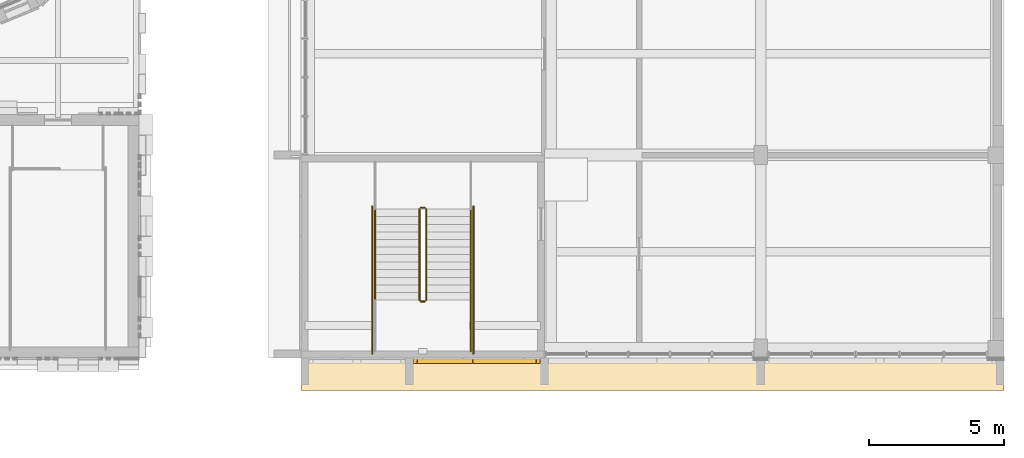
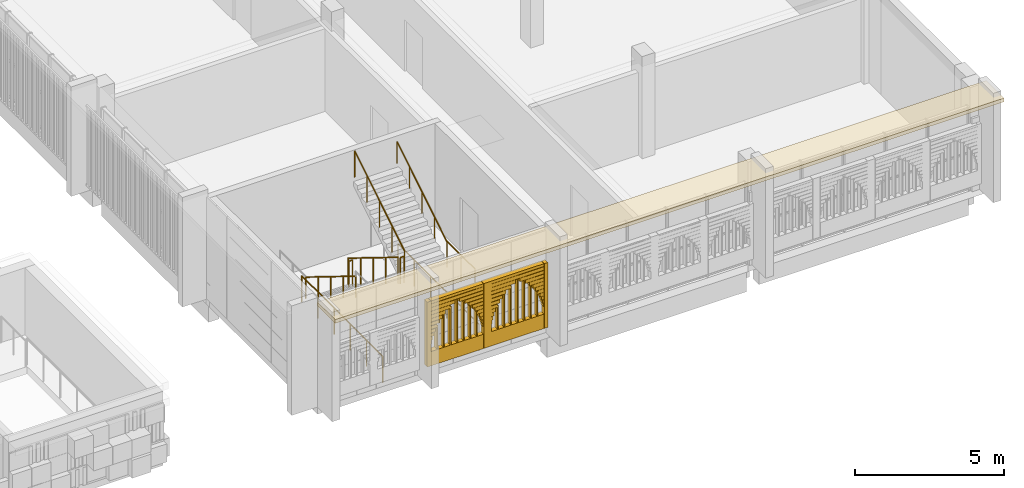
# One storey, part 87 of 98: 9 railings, 2 coverings.
"""IFC4 building model written with IfcOpenShell, lengths in metres."""

import ifcopenshell
import ifcopenshell.guid

model = None  # the IFC model being written
_history = None  # IfcOwnerHistory: only IFC2X3 demands one
_inside = {}  # id of a spatial element -> (the spatial element, [elements in it])
_under = {}  # id of a project, library or spatial element -> (it, [spatial elements below it])
_declared = {}  # id of a project -> (the project, [libraries it declares])
_typed = {}  # id of a type object -> (the type object, [elements of that type])
_made_of = {}  # id of a material, layer set ... -> (it, [elements and type objects made of it])


def new_model(schema):
    """Start an empty IFC model of exactly this schema.

    Asked for "IFC4X3", IfcOpenShell would pick the latest addendum, in which some entities
    have other attributes; the version numbers below select the first issue.
    IFC2X3 requires an IfcOwnerHistory on every rooted entity: one is made here for all.
    """
    global model, _history
    if schema == "IFC4X3":
        model = ifcopenshell.file(schema_version=(4, 3, 0, 0))
    else:
        model = ifcopenshell.file(schema=schema)
    _inside.clear()
    _under.clear()
    _declared.clear()
    _typed.clear()
    _made_of.clear()
    _history = None
    if model.schema == "IFC2X3":
        org = make("IfcOrganization", Name="unknown")
        user = make(
            "IfcPersonAndOrganization",
            ThePerson=make("IfcPerson", FamilyName="unknown"),
            TheOrganization=org,
        )
        app = make(
            "IfcApplication",
            ApplicationDeveloper=org,
            Version="unknown",
            ApplicationFullName="unknown",
            ApplicationIdentifier="unknown",
        )
        _history = make(
            "IfcOwnerHistory",
            OwningUser=user,
            OwningApplication=app,
            ChangeAction="ADDED",
            CreationDate=0,
        )
    return model


def make(cls, **values):
    """One entity of the class cls with the attributes given. An attribute that is None is left unset."""
    return model.create_entity(
        cls, **{name: value for name, value in values.items() if value is not None}
    )


def rooted(cls, **values):
    """An entity with a GlobalId (a new one), such as an element, a storey or a relation."""
    return make(cls, GlobalId=ifcopenshell.guid.new(), OwnerHistory=_history, **values)


def si_unit(unit_type, name, prefix=None):
    """IfcSIUnit, for example si_unit("LENGTHUNIT", "METRE", prefix="MILLI")."""
    return make("IfcSIUnit", UnitType=unit_type, Prefix=prefix, Name=name)


def assignment(units):
    """IfcUnitAssignment: the units of a project."""
    return None if units is None else make("IfcUnitAssignment", Units=units)


def point(xyz):
    """IfcCartesianPoint."""
    return None if xyz is None else make("IfcCartesianPoint", Coordinates=xyz)


def direction(xyz):
    """IfcDirection."""
    return None if xyz is None else make("IfcDirection", DirectionRatios=xyz)


def frame(location, z_axis=None, x_axis=None):
    """IfcAxis2Placement3D, a coordinate frame: its origin and axes. An axis left out is left unset."""
    return make(
        "IfcAxis2Placement3D",
        Location=point(location),
        Axis=direction(z_axis),
        RefDirection=direction(x_axis),
    )


def frame_2d(location, x_axis=None):
    """IfcAxis2Placement2D, a coordinate frame in the plane: its origin and x axis."""
    return make(
        "IfcAxis2Placement2D", Location=point(location), RefDirection=direction(x_axis)
    )


def origin():
    """The frame at (0, 0, 0) with its axes left unset."""
    return frame((0.0, 0.0, 0.0))


def origin_2d():
    """The frame at (0, 0) in the plane with its x axis left unset."""
    return frame_2d((0.0, 0.0))


def place(relative_to, where):
    """IfcLocalPlacement: puts the frame where relative to a parent placement (None: the world)."""
    return make(
        "IfcLocalPlacement", PlacementRelTo=relative_to, RelativePlacement=where
    )


def context(
    kind, dimensions, precision=None, world=None, true_north=None, identifier=None
):
    """IfcGeometricRepresentationContext, for example the 3D "Model" context."""
    return make(
        "IfcGeometricRepresentationContext",
        ContextIdentifier=identifier,
        ContextType=kind,
        CoordinateSpaceDimension=dimensions,
        Precision=precision,
        WorldCoordinateSystem=world,
        TrueNorth=true_north,
    )


def subcontext(parent, identifier, kind, view, scale=None):
    """IfcGeometricRepresentationSubContext, for example "Body" below "Model"."""
    return make(
        "IfcGeometricRepresentationSubContext",
        ContextIdentifier=identifier,
        ContextType=kind,
        ParentContext=parent,
        TargetScale=scale,
        TargetView=view,
    )


def project(units=None, contexts=None):
    """IfcProject with its units and contexts."""
    return rooted(
        "IfcProject",
        Name="project",
        RepresentationContexts=contexts,
        UnitsInContext=assignment(units),
    )


def spatial(cls, under=None, at=None, **own):
    """A site, building, storey or space (cls), placed at a placement, below another one or the project."""
    s = rooted(cls, ObjectPlacement=at, **own)
    if under is not None:
        _under.setdefault(under.id(), (under, []))[1].append(s)
    return s


def polyline(points):
    """IfcPolyline through the points."""
    return make("IfcPolyline", Points=[point(p) for p in points])


def profile(cls, at=None, kind="AREA", **sizes):
    """A parametric profile (cls). Its sizes go by their IFC names, for example OverallWidth=200.0."""
    return make(cls, ProfileType=kind, Position=at, **sizes)


def rectangle(**sizes):
    """IfcRectangleProfileDef."""
    return profile("IfcRectangleProfileDef", **sizes)


def circle(**sizes):
    """IfcCircleProfileDef."""
    return profile("IfcCircleProfileDef", **sizes)


def outline(outer, holes=None, kind="AREA"):
    """IfcArbitraryClosedProfileDef: a profile drawn as a closed curve; with holes, ...WithVoids."""
    if holes is None:
        return make("IfcArbitraryClosedProfileDef", ProfileType=kind, OuterCurve=outer)
    return make(
        "IfcArbitraryProfileDefWithVoids",
        ProfileType=kind,
        OuterCurve=outer,
        InnerCurves=holes,
    )


def extrude(swept, where, along, depth):
    """IfcExtrudedAreaSolid: the profile swept, set in the frame where, extruded along a direction by depth."""
    return make(
        "IfcExtrudedAreaSolid",
        SweptArea=swept,
        Position=where,
        ExtrudedDirection=direction(along),
        Depth=depth,
    )


def shape(context_of_items, identifier, shape_type, items):
    """IfcShapeRepresentation: the items that make up one representation, for example the "Body"."""
    return make(
        "IfcShapeRepresentation",
        ContextOfItems=context_of_items,
        RepresentationIdentifier=identifier,
        RepresentationType=shape_type,
        Items=items,
    )


def material(Name=None, Category=None):
    """IfcMaterial."""
    return make("IfcMaterial", Name=Name, Category=Category)


def layer(
    of_material, thickness, ventilated=None, Name=None, Category=None, Priority=None
):
    """IfcMaterialLayer: one layer of a wall or slab, of a material (None: an air gap)."""
    return make(
        "IfcMaterialLayer",
        Material=of_material,
        LayerThickness=thickness,
        IsVentilated=ventilated,
        Name=Name,
        Category=Category,
        Priority=Priority,
    )


def layer_set(layers, Name=None):
    """IfcMaterialLayerSet."""
    return make("IfcMaterialLayerSet", MaterialLayers=layers, LayerSetName=Name)


def made_of(thing, what):
    """Note that an element or type object is made of a material, layer set ...; save() writes the relation."""
    if what is not None:
        _made_of.setdefault(what.id(), (what, []))[1].append(thing)
    return thing


def type_object(cls, material=None, **own):
    """A type object (cls), such as IfcWallType, which elements share."""
    return made_of(rooted(cls, **own), material)


def element(
    cls,
    number,
    at=None,
    inside=None,
    cuts=None,
    type_object=None,
    material=None,
    context=None,
    identifier="Body",
    shape_type=None,
    held_by="IfcProductDefinitionShape",
    body=None,
    shapes=None,
    **own,
):
    """One element of the class cls, such as IfcWall. Its Tag is "e" and its number.

    at: its placement. inside: the storey or other place that contains it. cuts: it is an
    opening in that element (IfcRelVoidsElement). A single representation is given by context,
    identifier, shape_type and body (its items); several are given by shapes. held_by: the class
    of the entity that holds the representations. save() writes the other relations.
    """
    e = rooted(cls, Tag="e%d" % number, ObjectPlacement=at, **own)
    if body is not None:
        shapes = [shape(context, identifier, shape_type, body)]
    if shapes is not None:
        e.Representation = make(held_by, Representations=shapes)
    if inside is not None:
        _inside.setdefault(inside.id(), (inside, []))[1].append(e)
    if cuts is not None:
        rooted(
            "IfcRelVoidsElement", RelatingBuildingElement=cuts, RelatedOpeningElement=e
        )
    if type_object is not None:
        _typed.setdefault(type_object.id(), (type_object, []))[1].append(e)
    return made_of(e, material)


def aggregate(whole, parts):
    """IfcRelAggregates: a whole, such as a stair, and the parts it consists of."""
    return rooted("IfcRelAggregates", RelatingObject=whole, RelatedObjects=parts)


def save(model, path):
    """Write the relations noted so far, then the file.

    IfcRelAggregates (storeys below a building ...), IfcRelContainedInSpatialStructure (elements
    in a storey), IfcRelDefinesByType, IfcRelAssociatesMaterial and IfcRelDeclares: one each for
    every whole, place, type object, material and project.
    """
    for whole, parts in _under.values():
        aggregate(whole, parts)
    for where, things in _inside.values():
        rooted(
            "IfcRelContainedInSpatialStructure",
            RelatedElements=things,
            RelatingStructure=where,
        )
    for kind, things in _typed.values():
        rooted("IfcRelDefinesByType", RelatedObjects=things, RelatingType=kind)
    for what, things in _made_of.values():
        rooted("IfcRelAssociatesMaterial", RelatedObjects=things, RelatingMaterial=what)
    for by, libraries in _declared.values():
        rooted("IfcRelDeclares", RelatingContext=by, RelatedDefinitions=libraries)
    model.write(path)


model = new_model("IFC4")

# Units and contexts
model_context = context("Model", 3, precision=1e-05, world=origin(), true_north=direction((0.0, 1.0)))
body_context = subcontext(model_context, "Body", "Model", "MODEL_VIEW")
ifc_project = project(units=[si_unit("LENGTHUNIT", "METRE"), si_unit("AREAUNIT", "SQUARE_METRE"), si_unit("VOLUMEUNIT", "CUBIC_METRE"), si_unit("PLANEANGLEUNIT", "RADIAN"), si_unit("MASSUNIT", "GRAM", prefix="KILO")], contexts=[model_context])

# Site, building, storey
site_placement = place(None, origin())
site = spatial("IfcSite", under=ifc_project, at=site_placement, CompositionType="ELEMENT")
building_placement = place(site_placement, origin())
building = spatial("IfcBuilding", under=site, at=building_placement, Name="Sun Court Science Centre", CompositionType="ELEMENT")
storey_placement = place(building_placement, frame((0.0, 0.0, 15.75)))
storey = spatial("IfcBuildingStorey", under=building, at=storey_placement, Name="L03", CompositionType="ELEMENT", Elevation=15.75)

# Covering
ifc_material_1 = material(Name="Red sandstone", Category="masonry")
ifc_layer_1 = layer(ifc_material_1, 0.199951171875)
ifc_layer_set_1 = layer_set([ifc_layer_1], Name="Red sandstone")
covering_type_1 = type_object("IfcCoveringType", Name="Arched jali screen 200", PredefinedType="CLADDING", material=ifc_layer_set_1)
covering_1_placement = place(storey_placement, frame((0.0, 0.0, -15.75)))
element("IfcCovering", 1, at=covering_1_placement, inside=storey, type_object=covering_type_1, Name="Arched jali screen south L03 02", PredefinedType="CLADDING", context=body_context, shape_type="SweptSolid", body=[
    extrude(rectangle(XDim=0.139892578125, YDim=0.199951171875, at=origin_2d()), frame((82.22509765625, 5.89990234375, 16.05517578125), z_axis=(0.0, 0.0, 1.0), x_axis=(1.0, 0.0, 0.0)), (0.0, 0.0, 1.0), 2.665283203125),
    extrude(rectangle(XDim=0.2900390625, YDim=0.199951171875, at=origin_2d()), frame((84.5, 5.89990234375, 16.05517578125), z_axis=(0.0, 0.0, 1.0), x_axis=(1.0, 0.0, 0.0)), (0.0, 0.0, 1.0), 2.665283203125),
    extrude(rectangle(XDim=0.139892578125, YDim=0.199951171875, at=origin_2d()), frame((86.77490234375, 5.89990234375, 16.05517578125), z_axis=(0.0, 0.0, 1.0), x_axis=(1.0, 0.0, 0.0)), (0.0, 0.0, 1.0), 2.665283203125),
    extrude(rectangle(XDim=2.0400390625, YDim=0.199951171875, at=origin_2d()), frame((83.324951171875, 5.89990234375, 16.05517578125), z_axis=(0.0, 0.0, 1.0), x_axis=(1.0, 0.0, 0.0)), (0.0, 0.0, 1.0), 0.590087890625),
    extrude(rectangle(XDim=0.024658203125, YDim=0.199951171875, at=origin_2d()), frame((82.3173828125, 5.89990234375, 16.955078125), z_axis=(0.0, 0.0, 1.0), x_axis=(1.0, 0.0, 0.0)), (0.0, 0.0, 1.0), 0.139892578125),
    extrude(rectangle(XDim=0.024658203125, YDim=0.199951171875, at=origin_2d()), frame((84.332763671875, 5.89990234375, 16.955078125), z_axis=(0.0, 0.0, 1.0), x_axis=(1.0, 0.0, 0.0)), (0.0, 0.0, 1.0), 0.139892578125),
    extrude(rectangle(XDim=0.058349609375, YDim=0.199951171875, at=origin_2d()), frame((82.334228515625, 5.89990234375, 17.10498046875), z_axis=(0.0, 0.0, 1.0), x_axis=(1.0, 0.0, 0.0)), (0.0, 0.0, 1.0), 0.139892578125),
    extrude(rectangle(XDim=0.058349609375, YDim=0.199951171875, at=origin_2d()), frame((84.31591796875, 5.89990234375, 17.10498046875), z_axis=(0.0, 0.0, 1.0), x_axis=(1.0, 0.0, 0.0)), (0.0, 0.0, 1.0), 0.139892578125),
    extrude(rectangle(XDim=0.104248046875, YDim=0.199951171875, at=origin_2d()), frame((82.357177734375, 5.89990234375, 17.2548828125), z_axis=(0.0, 0.0, 1.0), x_axis=(1.0, 0.0, 0.0)), (0.0, 0.0, 1.0), 0.139892578125),
    extrude(rectangle(XDim=0.104248046875, YDim=0.199951171875, at=origin_2d()), frame((84.292724609375, 5.89990234375, 17.2548828125), z_axis=(0.0, 0.0, 1.0), x_axis=(1.0, 0.0, 0.0)), (0.0, 0.0, 1.0), 0.139892578125),
    extrude(rectangle(XDim=0.163330078125, YDim=0.199951171875, at=origin_2d()), frame((82.38671875, 5.89990234375, 17.4052734375), z_axis=(0.0, 0.0, 1.0), x_axis=(1.0, 0.0, 0.0)), (0.0, 0.0, 1.0), 0.139892578125),
    extrude(rectangle(XDim=0.163330078125, YDim=0.199951171875, at=origin_2d()), frame((84.263427734375, 5.89990234375, 17.4052734375), z_axis=(0.0, 0.0, 1.0), x_axis=(1.0, 0.0, 0.0)), (0.0, 0.0, 1.0), 0.139892578125),
    extrude(rectangle(XDim=0.23681640625, YDim=0.199951171875, at=origin_2d()), frame((82.42333984375, 5.89990234375, 17.55517578125), z_axis=(0.0, 0.0, 1.0), x_axis=(1.0, 0.0, 0.0)), (0.0, 0.0, 1.0), 0.139892578125),
    extrude(rectangle(XDim=0.23681640625, YDim=0.199951171875, at=origin_2d()), frame((84.2265625, 5.89990234375, 17.55517578125), z_axis=(0.0, 0.0, 1.0), x_axis=(1.0, 0.0, 0.0)), (0.0, 0.0, 1.0), 0.139892578125),
    extrude(rectangle(XDim=0.326171875, YDim=0.199951171875, at=origin_2d()), frame((82.468017578125, 5.89990234375, 17.705078125), z_axis=(0.0, 0.0, 1.0), x_axis=(1.0, 0.0, 0.0)), (0.0, 0.0, 1.0), 0.139892578125),
    extrude(rectangle(XDim=0.326171875, YDim=0.199951171875, at=origin_2d()), frame((84.181884765625, 5.89990234375, 17.705078125), z_axis=(0.0, 0.0, 1.0), x_axis=(1.0, 0.0, 0.0)), (0.0, 0.0, 1.0), 0.139892578125),
    extrude(rectangle(XDim=0.434814453125, YDim=0.199951171875, at=origin_2d()), frame((82.5224609375, 5.89990234375, 17.85498046875), z_axis=(0.0, 0.0, 1.0), x_axis=(1.0, 0.0, 0.0)), (0.0, 0.0, 1.0), 0.139892578125),
    extrude(rectangle(XDim=0.434814453125, YDim=0.199951171875, at=origin_2d()), frame((84.127685546875, 5.89990234375, 17.85498046875), z_axis=(0.0, 0.0, 1.0), x_axis=(1.0, 0.0, 0.0)), (0.0, 0.0, 1.0), 0.139892578125),
    extrude(rectangle(XDim=0.566162109375, YDim=0.199951171875, at=origin_2d()), frame((82.588134765625, 5.89990234375, 18.0048828125), z_axis=(0.0, 0.0, 1.0), x_axis=(1.0, 0.0, 0.0)), (0.0, 0.0, 1.0), 0.139892578125),
    extrude(rectangle(XDim=0.566162109375, YDim=0.199951171875, at=origin_2d()), frame((84.061767578125, 5.89990234375, 18.0048828125), z_axis=(0.0, 0.0, 1.0), x_axis=(1.0, 0.0, 0.0)), (0.0, 0.0, 1.0), 0.139892578125),
    extrude(rectangle(XDim=0.727783203125, YDim=0.199951171875, at=origin_2d()), frame((82.6689453125, 5.89990234375, 18.1552734375), z_axis=(0.0, 0.0, 1.0), x_axis=(1.0, 0.0, 0.0)), (0.0, 0.0, 1.0), 0.139892578125),
    extrude(rectangle(XDim=0.727783203125, YDim=0.199951171875, at=origin_2d()), frame((83.981201171875, 5.89990234375, 18.1552734375), z_axis=(0.0, 0.0, 1.0), x_axis=(1.0, 0.0, 0.0)), (0.0, 0.0, 1.0), 0.139892578125),
    extrude(rectangle(XDim=0.932373046875, YDim=0.199951171875, at=origin_2d()), frame((82.771240234375, 5.89990234375, 18.30517578125), z_axis=(0.0, 0.0, 1.0), x_axis=(1.0, 0.0, 0.0)), (0.0, 0.0, 1.0), 0.139892578125),
    extrude(rectangle(XDim=0.932373046875, YDim=0.199951171875, at=origin_2d()), frame((83.87890625, 5.89990234375, 18.30517578125), z_axis=(0.0, 0.0, 1.0), x_axis=(1.0, 0.0, 0.0)), (0.0, 0.0, 1.0), 0.139892578125),
    extrude(rectangle(XDim=2.0400390625, YDim=0.199951171875, at=origin_2d()), frame((83.324951171875, 5.89990234375, 18.455078125), z_axis=(0.0, 0.0, 1.0), x_axis=(1.0, 0.0, 0.0)), (0.0, 0.0, 1.0), 0.139892578125),
    extrude(rectangle(XDim=2.0400390625, YDim=0.199951171875, at=origin_2d()), frame((83.324951171875, 5.89990234375, 18.60498046875), z_axis=(0.0, 0.0, 1.0), x_axis=(1.0, 0.0, 0.0)), (0.0, 0.0, 1.0), 0.115234375),
    extrude(rectangle(XDim=0.0400390625, YDim=0.199951171875, at=origin_2d()), frame((82.55615234375, 5.89990234375, 16.655029296875), z_axis=(0.0, 0.0, 1.0), x_axis=(1.0, 0.0, 0.0)), (0.0, 0.0, 1.0), 0.982421875),
    extrude(rectangle(XDim=0.0400390625, YDim=0.199951171875, at=origin_2d()), frame((82.8125, 5.89990234375, 16.65478515625), z_axis=(0.0, 0.0, 1.0), x_axis=(1.0, 0.0, 0.0)), (0.0, 0.0, 1.0), 1.345947265625),
    extrude(rectangle(XDim=0.0400390625, YDim=0.199951171875, at=origin_2d()), frame((83.06884765625, 5.89990234375, 16.655029296875), z_axis=(0.0, 0.0, 1.0), x_axis=(1.0, 0.0, 0.0)), (0.0, 0.0, 1.0), 1.59033203125),
    extrude(rectangle(XDim=0.0400390625, YDim=0.199951171875, at=origin_2d()), frame((83.324951171875, 5.89990234375, 16.65478515625), z_axis=(0.0, 0.0, 1.0), x_axis=(1.0, 0.0, 0.0)), (0.0, 0.0, 1.0), 1.765380859375),
    extrude(rectangle(XDim=0.0400390625, YDim=0.199951171875, at=origin_2d()), frame((83.581298828125, 5.89990234375, 16.655029296875), z_axis=(0.0, 0.0, 1.0), x_axis=(1.0, 0.0, 0.0)), (0.0, 0.0, 1.0), 1.59033203125),
    extrude(rectangle(XDim=0.0400390625, YDim=0.199951171875, at=origin_2d()), frame((83.83740234375, 5.89990234375, 16.65478515625), z_axis=(0.0, 0.0, 1.0), x_axis=(1.0, 0.0, 0.0)), (0.0, 0.0, 1.0), 1.345947265625),
    extrude(rectangle(XDim=0.0400390625, YDim=0.199951171875, at=origin_2d()), frame((84.09375, 5.89990234375, 16.655029296875), z_axis=(0.0, 0.0, 1.0), x_axis=(1.0, 0.0, 0.0)), (0.0, 0.0, 1.0), 0.982421875),
    extrude(rectangle(XDim=2.0400390625, YDim=0.199951171875, at=origin_2d()), frame((85.675048828125, 5.89990234375, 16.05517578125), z_axis=(0.0, 0.0, 1.0), x_axis=(1.0, 0.0, 0.0)), (0.0, 0.0, 1.0), 0.590087890625),
    extrude(rectangle(XDim=0.024658203125, YDim=0.199951171875, at=origin_2d()), frame((84.667236328125, 5.89990234375, 16.955078125), z_axis=(0.0, 0.0, 1.0), x_axis=(1.0, 0.0, 0.0)), (0.0, 0.0, 1.0), 0.139892578125),
    extrude(rectangle(XDim=0.024658203125, YDim=0.199951171875, at=origin_2d()), frame((86.6826171875, 5.89990234375, 16.955078125), z_axis=(0.0, 0.0, 1.0), x_axis=(1.0, 0.0, 0.0)), (0.0, 0.0, 1.0), 0.139892578125),
    extrude(rectangle(XDim=0.058349609375, YDim=0.199951171875, at=origin_2d()), frame((84.68408203125, 5.89990234375, 17.10498046875), z_axis=(0.0, 0.0, 1.0), x_axis=(1.0, 0.0, 0.0)), (0.0, 0.0, 1.0), 0.139892578125),
    extrude(rectangle(XDim=0.058349609375, YDim=0.199951171875, at=origin_2d()), frame((86.665771484375, 5.89990234375, 17.10498046875), z_axis=(0.0, 0.0, 1.0), x_axis=(1.0, 0.0, 0.0)), (0.0, 0.0, 1.0), 0.139892578125),
    extrude(rectangle(XDim=0.104248046875, YDim=0.199951171875, at=origin_2d()), frame((84.707275390625, 5.89990234375, 17.2548828125), z_axis=(0.0, 0.0, 1.0), x_axis=(1.0, 0.0, 0.0)), (0.0, 0.0, 1.0), 0.139892578125),
    extrude(rectangle(XDim=0.104248046875, YDim=0.199951171875, at=origin_2d()), frame((86.642822265625, 5.89990234375, 17.2548828125), z_axis=(0.0, 0.0, 1.0), x_axis=(1.0, 0.0, 0.0)), (0.0, 0.0, 1.0), 0.139892578125),
    extrude(rectangle(XDim=0.163330078125, YDim=0.199951171875, at=origin_2d()), frame((84.736572265625, 5.89990234375, 17.4052734375), z_axis=(0.0, 0.0, 1.0), x_axis=(1.0, 0.0, 0.0)), (0.0, 0.0, 1.0), 0.139892578125),
    extrude(rectangle(XDim=0.163330078125, YDim=0.199951171875, at=origin_2d()), frame((86.61328125, 5.89990234375, 17.4052734375), z_axis=(0.0, 0.0, 1.0), x_axis=(1.0, 0.0, 0.0)), (0.0, 0.0, 1.0), 0.139892578125),
    extrude(rectangle(XDim=0.23681640625, YDim=0.199951171875, at=origin_2d()), frame((84.7734375, 5.89990234375, 17.55517578125), z_axis=(0.0, 0.0, 1.0), x_axis=(1.0, 0.0, 0.0)), (0.0, 0.0, 1.0), 0.139892578125),
    extrude(rectangle(XDim=0.23681640625, YDim=0.199951171875, at=origin_2d()), frame((86.57666015625, 5.89990234375, 17.55517578125), z_axis=(0.0, 0.0, 1.0), x_axis=(1.0, 0.0, 0.0)), (0.0, 0.0, 1.0), 0.139892578125),
    extrude(rectangle(XDim=0.326171875, YDim=0.199951171875, at=origin_2d()), frame((84.818115234375, 5.89990234375, 17.705078125), z_axis=(0.0, 0.0, 1.0), x_axis=(1.0, 0.0, 0.0)), (0.0, 0.0, 1.0), 0.139892578125),
    extrude(rectangle(XDim=0.326171875, YDim=0.199951171875, at=origin_2d()), frame((86.531982421875, 5.89990234375, 17.705078125), z_axis=(0.0, 0.0, 1.0), x_axis=(1.0, 0.0, 0.0)), (0.0, 0.0, 1.0), 0.139892578125),
    extrude(rectangle(XDim=0.434814453125, YDim=0.199951171875, at=origin_2d()), frame((84.872314453125, 5.89990234375, 17.85498046875), z_axis=(0.0, 0.0, 1.0), x_axis=(1.0, 0.0, 0.0)), (0.0, 0.0, 1.0), 0.139892578125),
    extrude(rectangle(XDim=0.434814453125, YDim=0.199951171875, at=origin_2d()), frame((86.4775390625, 5.89990234375, 17.85498046875), z_axis=(0.0, 0.0, 1.0), x_axis=(1.0, 0.0, 0.0)), (0.0, 0.0, 1.0), 0.139892578125),
    extrude(rectangle(XDim=0.566162109375, YDim=0.199951171875, at=origin_2d()), frame((84.938232421875, 5.89990234375, 18.0048828125), z_axis=(0.0, 0.0, 1.0), x_axis=(1.0, 0.0, 0.0)), (0.0, 0.0, 1.0), 0.139892578125),
    extrude(rectangle(XDim=0.566162109375, YDim=0.199951171875, at=origin_2d()), frame((86.411865234375, 5.89990234375, 18.0048828125), z_axis=(0.0, 0.0, 1.0), x_axis=(1.0, 0.0, 0.0)), (0.0, 0.0, 1.0), 0.139892578125),
    extrude(rectangle(XDim=0.727783203125, YDim=0.199951171875, at=origin_2d()), frame((85.018798828125, 5.89990234375, 18.1552734375), z_axis=(0.0, 0.0, 1.0), x_axis=(1.0, 0.0, 0.0)), (0.0, 0.0, 1.0), 0.139892578125),
    extrude(rectangle(XDim=0.727783203125, YDim=0.199951171875, at=origin_2d()), frame((86.3310546875, 5.89990234375, 18.1552734375), z_axis=(0.0, 0.0, 1.0), x_axis=(1.0, 0.0, 0.0)), (0.0, 0.0, 1.0), 0.139892578125),
    extrude(rectangle(XDim=0.932373046875, YDim=0.199951171875, at=origin_2d()), frame((85.12109375, 5.89990234375, 18.30517578125), z_axis=(0.0, 0.0, 1.0), x_axis=(1.0, 0.0, 0.0)), (0.0, 0.0, 1.0), 0.139892578125),
    extrude(rectangle(XDim=0.932373046875, YDim=0.199951171875, at=origin_2d()), frame((86.228759765625, 5.89990234375, 18.30517578125), z_axis=(0.0, 0.0, 1.0), x_axis=(1.0, 0.0, 0.0)), (0.0, 0.0, 1.0), 0.139892578125),
    extrude(rectangle(XDim=2.0400390625, YDim=0.199951171875, at=origin_2d()), frame((85.675048828125, 5.89990234375, 18.455078125), z_axis=(0.0, 0.0, 1.0), x_axis=(1.0, 0.0, 0.0)), (0.0, 0.0, 1.0), 0.139892578125),
    extrude(rectangle(XDim=2.0400390625, YDim=0.199951171875, at=origin_2d()), frame((85.675048828125, 5.89990234375, 18.60498046875), z_axis=(0.0, 0.0, 1.0), x_axis=(1.0, 0.0, 0.0)), (0.0, 0.0, 1.0), 0.115234375),
    extrude(rectangle(XDim=0.0400390625, YDim=0.199951171875, at=origin_2d()), frame((84.90625, 5.89990234375, 16.655029296875), z_axis=(0.0, 0.0, 1.0), x_axis=(1.0, 0.0, 0.0)), (0.0, 0.0, 1.0), 0.982421875),
    extrude(rectangle(XDim=0.0400390625, YDim=0.199951171875, at=origin_2d()), frame((85.16259765625, 5.89990234375, 16.65478515625), z_axis=(0.0, 0.0, 1.0), x_axis=(1.0, 0.0, 0.0)), (0.0, 0.0, 1.0), 1.345947265625),
    extrude(rectangle(XDim=0.0400390625, YDim=0.199951171875, at=origin_2d()), frame((85.418701171875, 5.89990234375, 16.655029296875), z_axis=(0.0, 0.0, 1.0), x_axis=(1.0, 0.0, 0.0)), (0.0, 0.0, 1.0), 1.59033203125),
    extrude(rectangle(XDim=0.0400390625, YDim=0.199951171875, at=origin_2d()), frame((85.675048828125, 5.89990234375, 16.65478515625), z_axis=(0.0, 0.0, 1.0), x_axis=(1.0, 0.0, 0.0)), (0.0, 0.0, 1.0), 1.765380859375),
    extrude(rectangle(XDim=0.0400390625, YDim=0.199951171875, at=origin_2d()), frame((85.93115234375, 5.89990234375, 16.655029296875), z_axis=(0.0, 0.0, 1.0), x_axis=(1.0, 0.0, 0.0)), (0.0, 0.0, 1.0), 1.59033203125),
    extrude(rectangle(XDim=0.0400390625, YDim=0.199951171875, at=origin_2d()), frame((86.1875, 5.89990234375, 16.65478515625), z_axis=(0.0, 0.0, 1.0), x_axis=(1.0, 0.0, 0.0)), (0.0, 0.0, 1.0), 1.345947265625),
    extrude(rectangle(XDim=0.0400390625, YDim=0.199951171875, at=origin_2d()), frame((86.44384765625, 5.89990234375, 16.655029296875), z_axis=(0.0, 0.0, 1.0), x_axis=(1.0, 0.0, 0.0)), (0.0, 0.0, 1.0), 0.982421875),
])

# Railings
ifc_material_2 = material(Name="Steel S275", Category="steel")
railing_type_1 = type_object("IfcRailingType", Name="Guard 1100 steel balustrade", PredefinedType="GUARDRAIL", material=ifc_material_2)
railing_1_placement = place(storey_placement, frame((82.375, 11.501953125, 0.173095703125)))
element("IfcRailing", 2, at=railing_1_placement, inside=storey, type_object=railing_type_1, Name="L03 SL1 stair guard 1", PredefinedType="GUARDRAIL", context=body_context, shape_type="SweptSolid", body=[
    extrude(circle(Radius=0.02392578125, at=origin_2d()), frame((0.0, 0.0, 1.076171875), z_axis=(0.0, -0.850606129759, 0.525803396734), x_axis=(1.0, 0.0, 0.0)), (0.0, 0.0, 1.0), 3.949951171875),
    extrude(circle(Radius=0.02099609375, at=origin_2d()), origin(), (0.0, 0.0, 1.0), 1.052001953125),
    extrude(circle(Radius=0.02099609375, at=origin_2d()), frame((0.0, -0.83984375, 0.519287109375)), (0.0, 0.0, 1.0), 1.052001953125),
    extrude(circle(Radius=0.02099609375, at=origin_2d()), frame((0.0, -1.679931640625, 1.03857421875)), (0.0, 0.0, 1.0), 1.052001953125),
    extrude(circle(Radius=0.02099609375, at=origin_2d()), frame((0.0, -2.52001953125, 1.5576171875)), (0.0, 0.0, 1.0), 1.052001953125),
    extrude(circle(Radius=0.02099609375, at=origin_2d()), frame((0.0, -3.35986328125, 2.076904296875)), (0.0, 0.0, 1.0), 1.052001953125),
])
railing_2_placement = place(storey_placement, frame((82.425048828125, 8.092041015625, 2.25)))
element("IfcRailing", 3, at=railing_2_placement, inside=storey, type_object=railing_type_1, Name="L03 SL1 stair guard 2", PredefinedType="GUARDRAIL", context=body_context, shape_type="SweptSolid", body=[
    extrude(circle(Radius=0.02392578125, at=origin_2d()), frame((0.0, 0.0, 1.076171875), z_axis=(1.0, 0.0, 0.0), x_axis=(0.0, 1.0, 0.0)), (0.0, 0.0, 1.0), 0.14990234375),
    extrude(circle(Radius=0.02099609375, at=origin_2d()), origin(), (0.0, 0.0, 1.0), 1.052001953125),
    extrude(circle(Radius=0.02099609375, at=origin_2d()), frame((0.14990234375, 0.0, 0.0)), (0.0, 0.0, 1.0), 1.052001953125),
])
railing_3_placement = place(storey_placement, frame((84.27294921875, 8.14208984375, 2.25)))
element("IfcRailing", 4, at=railing_3_placement, inside=storey, type_object=railing_type_1, Name="L03 SL1 stair guard 4", PredefinedType="GUARDRAIL", context=body_context, shape_type="SweptSolid", body=[
    extrude(circle(Radius=0.02392578125, at=origin_2d()), frame((0.0, 0.0, 1.076171875), z_axis=(0.0, -1.0, 0.0), x_axis=(1.0, 0.0, 0.0)), (0.0, 0.0, 1.0), 1.89208984375),
    extrude(circle(Radius=0.02099609375, at=origin_2d()), origin(), (0.0, 0.0, 1.0), 1.052001953125),
    extrude(circle(Radius=0.02099609375, at=origin_2d()), frame((0.0, -0.946044921875, 0.0)), (0.0, 0.0, 1.0), 1.052001953125),
    extrude(circle(Radius=0.02099609375, at=origin_2d()), frame((0.0, -1.89208984375, 0.0)), (0.0, 0.0, 1.0), 1.052001953125),
])
railing_4_placement = place(storey_placement, frame((82.625, 8.14208984375, 2.423095703125)))
element("IfcRailing", 5, at=railing_4_placement, inside=storey, type_object=railing_type_1, Name="L03 SL1 stair guard 5", PredefinedType="GUARDRAIL", context=body_context, shape_type="SweptSolid", body=[
    extrude(circle(Radius=0.02392578125, at=origin_2d()), frame((0.0, 0.0, 1.076171875), z_axis=(0.0, 0.850606129759, 0.525803396734), x_axis=(-1.0, 0.0, 0.0)), (0.0, 0.0, 1.0), 3.949951171875),
    extrude(circle(Radius=0.02099609375, at=origin_2d()), origin(), (0.0, 0.0, 1.0), 1.052001953125),
    extrude(circle(Radius=0.02099609375, at=origin_2d()), frame((0.0, 0.83984375, 0.519287109375)), (0.0, 0.0, 1.0), 1.052001953125),
    extrude(circle(Radius=0.02099609375, at=origin_2d()), frame((0.0, 1.679931640625, 1.03857421875)), (0.0, 0.0, 1.0), 1.052001953125),
    extrude(circle(Radius=0.02099609375, at=origin_2d()), frame((0.0, 2.52001953125, 1.5576171875)), (0.0, 0.0, 1.0), 1.052001953125),
    extrude(circle(Radius=0.02099609375, at=origin_2d()), frame((0.0, 3.35986328125, 2.076904296875)), (0.0, 0.0, 1.0), 1.052001953125),
])
railing_5_placement = place(storey_placement, frame((82.425048828125, 11.552001953125, 0.0)))
element("IfcRailing", 6, at=railing_5_placement, inside=storey, type_object=railing_type_1, Name="L03 SL1 stair guard 6", PredefinedType="GUARDRAIL", context=body_context, shape_type="SweptSolid", body=[
    extrude(circle(Radius=0.02392578125, at=origin_2d()), frame((0.0, 0.0, 1.076171875), z_axis=(1.0, 0.0, 0.0), x_axis=(0.0, 1.0, 0.0)), (0.0, 0.0, 1.0), 0.14990234375),
    extrude(circle(Radius=0.02099609375, at=origin_2d()), origin(), (0.0, 0.0, 1.0), 1.052001953125),
    extrude(circle(Radius=0.02099609375, at=origin_2d()), frame((0.14990234375, 0.0, 0.0)), (0.0, 0.0, 1.0), 1.052001953125),
])
for number, where, name in (
    (7, (80.626953125, 11.60205078125, 0.0), "L03 SL1 stair guard 9"),
    (8, (84.373046875, 11.60205078125, 0.0), "L03 SL1 stair guard 10"),
):
    element("IfcRailing", number, at=place(storey_placement, frame(where)), inside=storey, type_object=railing_type_1, Name=name, PredefinedType="GUARDRAIL", context=body_context, shape_type="SweptSolid", body=[
        extrude(circle(Radius=0.02392578125, at=origin_2d()), frame((0.0, 0.0, 1.076171875), z_axis=(0.0, -1.0, 0.0), x_axis=(1.0, 0.0, 0.0)), (0.0, 0.0, 1.0), 5.4521484375),
        extrude(circle(Radius=0.02099609375, at=origin_2d()), origin(), (0.0, 0.0, 1.0), 1.052001953125),
        extrude(circle(Radius=0.02099609375, at=origin_2d()), frame((0.0, -1.09033203125, 0.0)), (0.0, 0.0, 1.0), 1.052001953125),
        extrude(circle(Radius=0.02099609375, at=origin_2d()), frame((0.0, -2.180908203125, 0.0)), (0.0, 0.0, 1.0), 1.052001953125),
        extrude(circle(Radius=0.02099609375, at=origin_2d()), frame((0.0, -3.271240234375, 0.0)), (0.0, 0.0, 1.0), 1.052001953125),
        extrude(circle(Radius=0.02099609375, at=origin_2d()), frame((0.0, -4.36181640625, 0.0)), (0.0, 0.0, 1.0), 1.052001953125),
        extrude(circle(Radius=0.02099609375, at=origin_2d()), frame((0.0, -5.4521484375, 0.0)), (0.0, 0.0, 1.0), 1.052001953125),
    ])
ifc_material_3 = material(Name="Stainless steel", Category="steel")
railing_type_2 = type_object("IfcRailingType", Name="Handrail 900 stainless", PredefinedType="HANDRAIL", material=ifc_material_3)
railing_6_placement = place(storey_placement, frame((80.72705078125, 11.501953125, 0.173095703125)))
element("IfcRailing", 9, at=railing_6_placement, inside=storey, type_object=railing_type_2, Name="L03 SL1 stair handrail 1", PredefinedType="HANDRAIL", context=body_context, shape_type="SweptSolid", body=[
    extrude(circle(Radius=0.02392578125, at=origin_2d()), frame((0.0, 0.0, 0.8759765625), z_axis=(0.0, -0.850606129759, 0.525803396734), x_axis=(1.0, 0.0, 0.0)), (0.0, 0.0, 1.0), 3.949951171875),
    extrude(circle(Radius=0.02099609375, at=origin_2d()), origin(), (0.0, 0.0, 1.0), 0.851806640625),
    extrude(circle(Radius=0.02099609375, at=origin_2d()), frame((0.0, -0.83984375, 0.519287109375)), (0.0, 0.0, 1.0), 0.851806640625),
    extrude(circle(Radius=0.02099609375, at=origin_2d()), frame((0.0, -1.679931640625, 1.03857421875)), (0.0, 0.0, 1.0), 0.851806640625),
    extrude(circle(Radius=0.02099609375, at=origin_2d()), frame((0.0, -2.52001953125, 1.5576171875)), (0.0, 0.0, 1.0), 0.851806640625),
    extrude(circle(Radius=0.02099609375, at=origin_2d()), frame((0.0, -3.35986328125, 2.076904296875)), (0.0, 0.0, 1.0), 0.851806640625),
])
railing_7_placement = place(storey_placement, frame((84.27294921875, 8.14208984375, 2.423095703125)))
element("IfcRailing", 10, at=railing_7_placement, inside=storey, type_object=railing_type_2, Name="L03 SL1 stair handrail 2", PredefinedType="HANDRAIL", context=body_context, shape_type="SweptSolid", body=[
    extrude(circle(Radius=0.02392578125, at=origin_2d()), frame((0.0, 0.0, 0.8759765625), z_axis=(0.0, 0.850606129759, 0.525803396734), x_axis=(-1.0, 0.0, 0.0)), (0.0, 0.0, 1.0), 3.949951171875),
    extrude(circle(Radius=0.02099609375, at=origin_2d()), origin(), (0.0, 0.0, 1.0), 0.851806640625),
    extrude(circle(Radius=0.02099609375, at=origin_2d()), frame((0.0, 0.83984375, 0.519287109375)), (0.0, 0.0, 1.0), 0.851806640625),
    extrude(circle(Radius=0.02099609375, at=origin_2d()), frame((0.0, 1.679931640625, 1.03857421875)), (0.0, 0.0, 1.0), 0.851806640625),
    extrude(circle(Radius=0.02099609375, at=origin_2d()), frame((0.0, 2.52001953125, 1.5576171875)), (0.0, 0.0, 1.0), 0.851806640625),
    extrude(circle(Radius=0.02099609375, at=origin_2d()), frame((0.0, 3.35986328125, 2.076904296875)), (0.0, 0.0, 1.0), 0.851806640625),
])

# Covering
ifc_material_4 = material(Name="Red sandstone", Category="masonry")
ifc_layer_2 = layer(ifc_material_4, 0.14990234375)
ifc_layer_set_2 = layer_set([ifc_layer_2], Name="Red sandstone")
covering_type_2 = type_object("IfcCoveringType", Name="Sandstone chhajja eave 1200", PredefinedType="CLADDING", material=ifc_layer_set_2)
covering_2_placement = place(storey_placement, frame((0.0, 0.0, 4.169921875)))
element("IfcCovering", 11, at=covering_2_placement, inside=storey, type_object=covering_type_2, Name="Chhajja eave south face L03", PredefinedType="CLADDING", context=body_context, shape_type="SweptSolid", body=[
    extrude(outline(polyline([(78.0, 6.0), (104.0, 6.0), (104.0, 4.800048828125), (78.0, 4.800048828125), (78.0, 6.0)])), origin(), (0.0, 0.0, 1.0), 0.150146484375),
])

save(model, "model.ifc")
